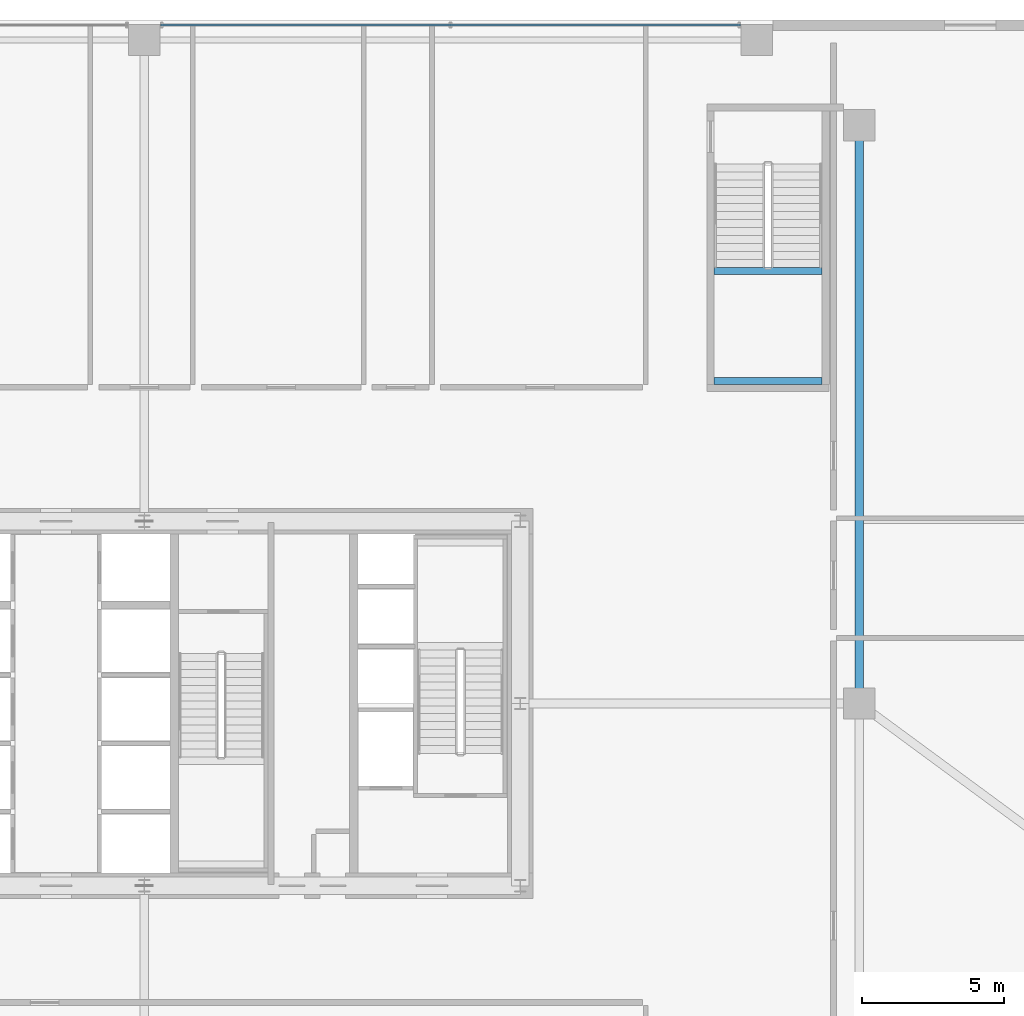
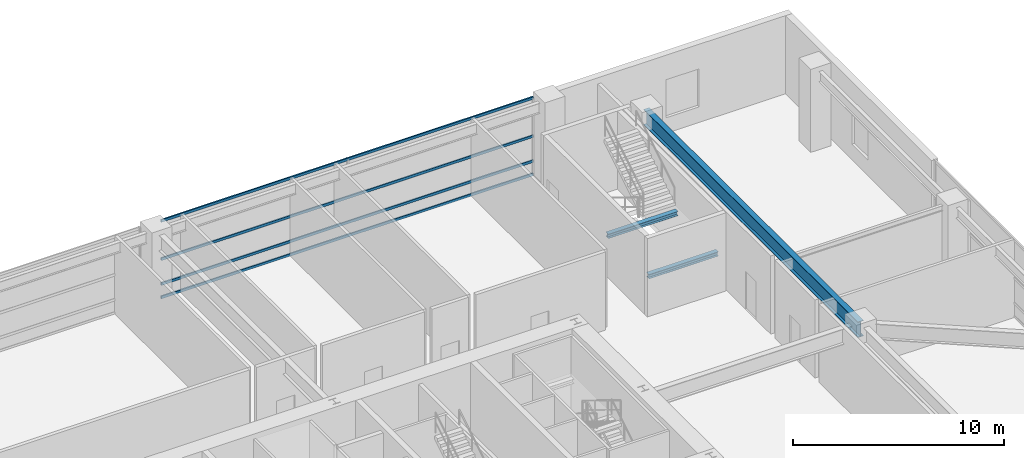
# One storey, part 26 of 38: 4 members, 3 beams, 1 element without a shape of its own.
"""IFC4 building model written with IfcOpenShell, lengths in metres."""

from ifc_helpers import new_model, si_unit, direction, frame, origin, origin_2d, place, context, subcontext, project, spatial, hollow_rectangle, i_section, extrude, source, transform, mapped, material, layer, layer_set, material_profile, profile_set, type_object, element, aggregate, save


model = new_model("IFC4")

# Units and contexts
model_context = context("Model", 3, precision=1e-05, world=origin(), true_north=direction((0.0, 1.0)))
body_context = subcontext(model_context, "Body", "Model", "MODEL_VIEW")
ifc_project = project(units=[si_unit("LENGTHUNIT", "METRE"), si_unit("AREAUNIT", "SQUARE_METRE"), si_unit("VOLUMEUNIT", "CUBIC_METRE"), si_unit("PLANEANGLEUNIT", "RADIAN"), si_unit("MASSUNIT", "GRAM", prefix="KILO"), si_unit("THERMODYNAMICTEMPERATUREUNIT", "KELVIN"), si_unit("POWERUNIT", "WATT")], contexts=[model_context])

# Site, building, storey
site_placement = place(None, origin())
site = spatial("IfcSite", under=ifc_project, at=site_placement, CompositionType="ELEMENT")
building_placement = place(site_placement, origin())
building = spatial("IfcBuilding", under=site, at=building_placement, Name="Yuzanri Waterfront Tower", CompositionType="ELEMENT")
storey_placement = place(building_placement, frame((0.0, 0.0, 10.199951171875)))
storey = spatial("IfcBuildingStorey", under=building, at=storey_placement, Name="L03", CompositionType="ELEMENT", Elevation=10.199951171875)

# Beam
ifc_material_1 = material(Name="Steel Q355B", Category="steel")
ifc_material_profile_1 = material_profile(ifc_material_1, i_section(OverallWidth=0.300048828125, OverallDepth=0.89990234375, WebThickness=0.01611328125, FlangeThickness=0.028076171875, at=origin_2d()), Name="HN 900x300x16x28")
ifc_profile_set_1 = profile_set([ifc_material_profile_1], Name="Steel Q355B")
beam_type_1 = type_object("IfcBeamType", Name="Primary Podium Girder Q355B HN 900x300", PredefinedType="BEAM", material=ifc_profile_set_1)
shared_shape_1 = source(origin(), body_context, "Body", "SweptSolid", [
    extrude(i_section(OverallWidth=0.300048828125, OverallDepth=0.89990234375, WebThickness=0.01611328125, FlangeThickness=0.028076171875, at=origin_2d()), origin(), (0.0, 0.0, 1.0), 20.300048828125),
])
beam_placement = place(storey_placement, frame((62.10009765625, 25.800048828125, 4.070068359375), z_axis=(0.0, 1.0, 0.0), x_axis=(-1.0, 0.0, 0.0)))
element("IfcBeam", 1, at=beam_placement, inside=storey, type_object=beam_type_1, Name="L03 Podium East Spine N", PredefinedType="BEAM", context=body_context, shape_type="MappedRepresentation", body=[
    mapped(shared_shape_1, transform((0.0, 0.0, 0.0), scale=1.0)),
])

# Curtain wall, members
ifc_material_2 = material(Name="Anodized Architectural Bronze", Category="metal")
ifc_layer = layer(ifc_material_2, 0.159912109375)
ifc_layer_set = layer_set([ifc_layer], Name="Anodized Architectural Bronze")
curtain_wall_type = type_object("IfcCurtainWallType", Name="Anodized Bronze Podium Waterfront Double-Height Unitized Curtain Wall 8400", PredefinedType="NOTDEFINED", material=ifc_layer_set)
curtain_wall_placement = place(storey_placement, origin())
curtain_wall = element("IfcCurtainWall", 2, at=curtain_wall_placement, inside=storey, type_object=curtain_wall_type, Name="L03 Curtain Wall CW-L03-N2", PredefinedType="NOTDEFINED")
ifc_material_3 = material(Name="Anodized Architectural Bronze", Category="metal")
ifc_material_profile_2 = material_profile(ifc_material_3, hollow_rectangle(XDim=0.074951171875, YDim=0.14990234375, WallThickness=0.00390625, at=origin_2d()), Name="CWT 75x150")
ifc_profile_set_2 = profile_set([ifc_material_profile_2], Name="Anodized Architectural Bronze")
member_type = type_object("IfcMemberType", Name="Anodized Bronze Primary Curtain-Wall Transom 75x150", PredefinedType="USERDEFINED", material=ifc_profile_set_2)
shared_shape_2 = source(origin(), body_context, "Body", "SweptSolid", [
    extrude(hollow_rectangle(XDim=0.074951171875, YDim=0.14990234375, WallThickness=0.00390625, at=origin_2d()), origin(), (0.0, 0.0, 1.0), 20.35986328125),
])
member_1_placement = place(storey_placement, frame((37.570068359375, 49.6201171875, 0.050048828125), z_axis=(1.0, 0.0, 0.0), x_axis=(0.0, 1.0, 0.0)))
member_1 = element("IfcMember", 3, at=member_1_placement, type_object=member_type, Name="CW-L03-N2 Transom 1", ObjectType="TRANSOM", PredefinedType="USERDEFINED", context=body_context, shape_type="MappedRepresentation", body=[
    mapped(shared_shape_2, transform((0.0, 0.0, 0.0), scale=1.0)),
])
member_2_placement = place(storey_placement, frame((37.570068359375, 49.6201171875, 0.820068359375), z_axis=(1.0, 0.0, 0.0), x_axis=(0.0, 1.0, 0.0)))
member_2 = element("IfcMember", 4, at=member_2_placement, type_object=member_type, Name="CW-L03-N2 Transom 2", ObjectType="TRANSOM", PredefinedType="USERDEFINED", context=body_context, shape_type="MappedRepresentation", body=[
    mapped(shared_shape_2, transform((0.0, 0.0, 0.0), scale=1.0)),
])
member_3_placement = place(storey_placement, frame((37.570068359375, 49.6201171875, 2.260009765625), z_axis=(1.0, 0.0, 0.0), x_axis=(0.0, 1.0, 0.0)))
member_3 = element("IfcMember", 5, at=member_3_placement, type_object=member_type, Name="CW-L03-N2 Transom 3", ObjectType="TRANSOM", PredefinedType="USERDEFINED", context=body_context, shape_type="MappedRepresentation", body=[
    mapped(shared_shape_2, transform((0.0, 0.0, 0.0), scale=1.0)),
])
member_4_placement = place(storey_placement, frame((37.570068359375, 49.6201171875, 4.469970703125), z_axis=(1.0, 0.0, 0.0), x_axis=(0.0, 1.0, 0.0)))
member_4 = element("IfcMember", 6, at=member_4_placement, type_object=member_type, Name="CW-L03-N2 Transom 4", ObjectType="TRANSOM", PredefinedType="USERDEFINED", context=body_context, shape_type="MappedRepresentation", body=[
    mapped(shared_shape_2, transform((0.0, 0.0, 0.0), scale=1.0)),
])
aggregate(curtain_wall, [member_1, member_2, member_3, member_4])

# Beams
ifc_material_4 = material(Name="Steel Q355B", Category="steel")
ifc_material_profile_3 = material_profile(ifc_material_4, i_section(OverallWidth=0.25, OverallDepth=0.25, WebThickness=0.009033203125, FlangeThickness=0.013916015625, at=origin_2d()), Name="HW 250x250x9x14")
ifc_profile_set_3 = profile_set([ifc_material_profile_3], Name="Steel Q355B")
beam_type_2 = type_object("IfcBeamType", Name="Stair Landing Support Beam Q355B HW 250x250", PredefinedType="BEAM", material=ifc_profile_set_3)
shared_shape_3 = source(origin(), body_context, "Body", "SweptSolid", [
    extrude(i_section(OverallWidth=0.25, OverallDepth=0.25, WebThickness=0.009033203125, FlangeThickness=0.013916015625, at=origin_2d()), origin(), (0.0, 0.0, 1.0), 3.800048828125),
])
for number, where, z_axis, x_axis, name in (
    (7, (57.0, 37.1298828125, 2.074951171875), (1.0, 0.0, 0.0), (0.0, 1.0, 0.0), "L03 Stair Landing Support Beam PST-03-L03-L1-1"),
    (8, (57.0, 40.97998046875, 2.074951171875), (1.0, 0.0, 0.0), (0.0, 1.0, 0.0), "L03 Stair Landing Support Beam PST-03-L03-L1-2"),
):
    element("IfcBeam", number, at=place(storey_placement, frame(where, z_axis=z_axis, x_axis=x_axis)), inside=storey, type_object=beam_type_2, Name=name, PredefinedType="BEAM", context=body_context, shape_type="MappedRepresentation", body=[
        mapped(shared_shape_3, transform((0.0, 0.0, 0.0), scale=1.0)),
    ])

save(model, "model.ifc")
